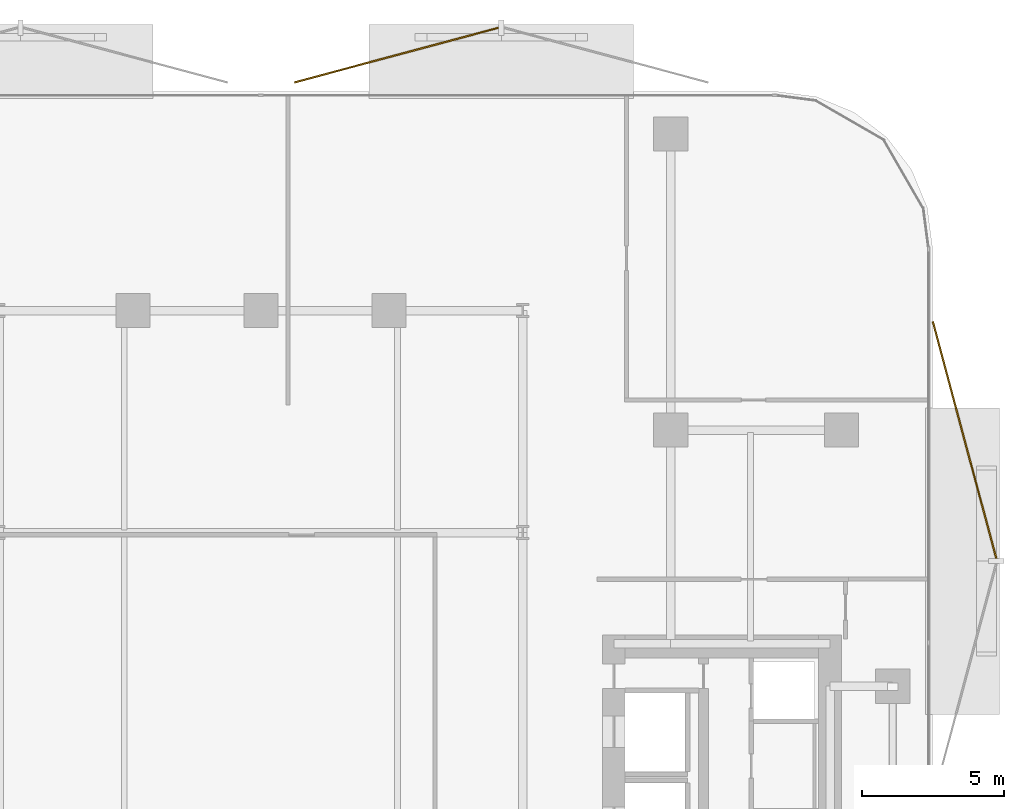
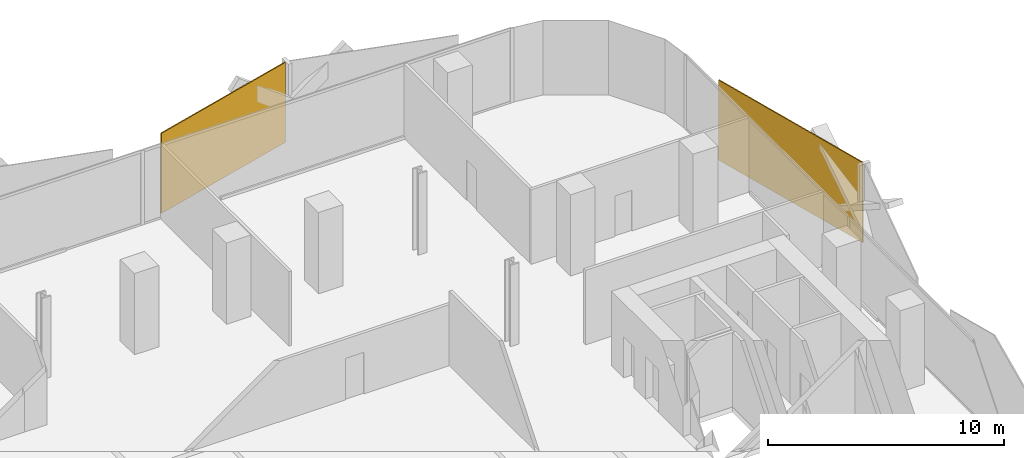
# One storey, part 15 of 15: 2 coverings.
"""IFC4 building model written with IfcOpenShell, lengths in metres."""

from ifc_helpers import new_model, si_unit, direction, frame, origin, origin_2d, place, context, subcontext, project, spatial, rectangle, extrude, material, layer, layer_set, type_object, element, save


model = new_model("IFC4")

# Units and contexts
model_context = context("Model", 3, precision=1e-05, world=origin(), true_north=direction((0.0, 1.0)))
body_context = subcontext(model_context, "Body", "Model", "MODEL_VIEW")
ifc_project = project(units=[si_unit("LENGTHUNIT", "METRE"), si_unit("AREAUNIT", "SQUARE_METRE"), si_unit("VOLUMEUNIT", "CUBIC_METRE"), si_unit("PLANEANGLEUNIT", "RADIAN"), si_unit("MASSUNIT", "GRAM", prefix="KILO")], contexts=[model_context])

# Site, building, storey
site_placement = place(None, origin())
site = spatial("IfcSite", under=ifc_project, at=site_placement, CompositionType="ELEMENT")
building_placement = place(site_placement, origin())
building = spatial("IfcBuilding", under=site, at=building_placement, Name="Khairoan Windgate Tower", CompositionType="ELEMENT")
storey_placement = place(building_placement, frame((0.0, 0.0, 147.800048828125)))
storey = spatial("IfcBuildingStorey", under=building, at=storey_placement, Name="L34", CompositionType="ELEMENT", Elevation=147.800048828125)

# Coverings
ifc_material = material(Name="Anodised Bronze Aluminium 6063-T6", Category="aluminium")
ifc_layer = layer(ifc_material, 0.054931640625, Name="Anodised Bronze Aluminium 6063-T6")
ifc_layer_set = layer_set([ifc_layer], Name="Anodised Bronze Aluminium 6063-T6")
covering_type = type_object("IfcCoveringType", Name="Perforated Bronze-Ceramic Folded Solar Screen Cladding BSC-1", PredefinedType="CLADDING", material=ifc_layer_set)
covering_1_placement = place(storey_placement, frame((4.76611328125, 27.578125, -0.10009765625), z_axis=(0.0, 0.0, 1.0), x_axis=(0.965925826289, 0.258819045103, 0.0)))
element("IfcCovering", 1, at=covering_1_placement, inside=storey, type_object=covering_type, Name="L34 Folded Bronze Solar Screen Facet 222L", PredefinedType="CLADDING", context=body_context, shape_type="SweptSolid", body=[
    extrude(rectangle(XDim=7.431884765625, YDim=0.054931640625, at=origin_2d()), origin(), (0.0, 0.0, 1.0), 4.139892578125),
])
covering_2_placement = place(storey_placement, frame((24.724609375, 14.048583984375, -0.10009765625), z_axis=(0.0, 0.0, 1.0), x_axis=(0.258819045103, -0.965925826289, 0.0)))
element("IfcCovering", 2, at=covering_2_placement, inside=storey, type_object=covering_type, Name="L34 Folded Bronze Solar Screen Facet 223L", PredefinedType="CLADDING", context=body_context, shape_type="SweptSolid", body=[
    extrude(rectangle(XDim=8.6201171875, YDim=0.054931640625, at=origin_2d()), origin(), (0.0, 0.0, 1.0), 4.139892578125),
])

save(model, "model.ifc")
